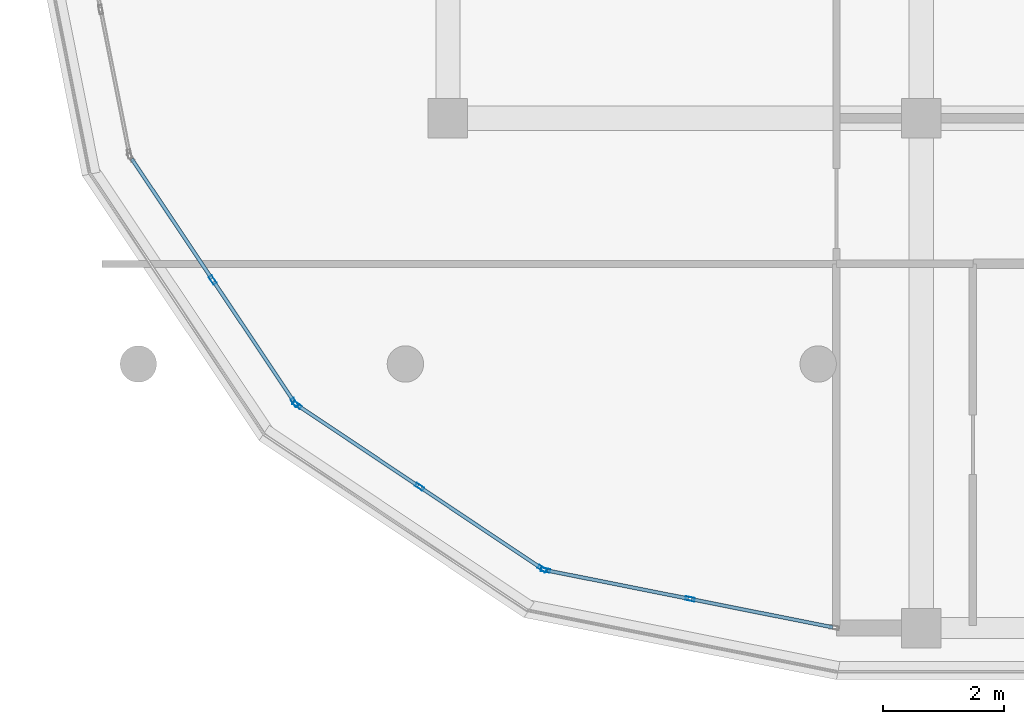
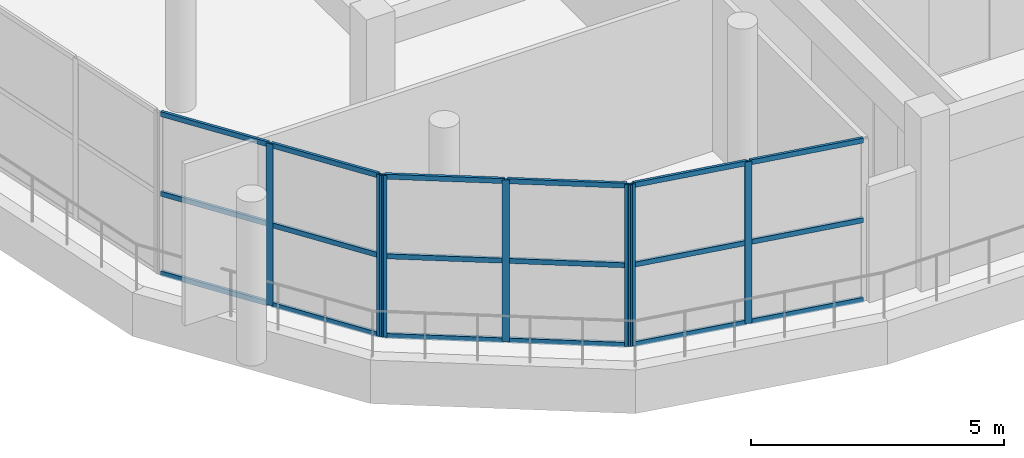
# One storey, part 2 of 57: 25 members, 3 elements without a shape of their own.
"""IFC4 building model written with IfcOpenShell, lengths in metres."""

from ifc_helpers import new_model, si_unit, direction, frame, origin, origin_2d, place, context, subcontext, project, spatial, hollow_rectangle, extrude, material, layer, layer_set, material_profile, profile_set, type_object, element, aggregate, save


model = new_model("IFC4")

# Units and contexts
model_context = context("Model", 3, precision=1e-05, world=origin(), true_north=direction((0.0, 1.0)))
body_context = subcontext(model_context, "Body", "Model", "MODEL_VIEW")
ifc_project = project(units=[si_unit("LENGTHUNIT", "METRE"), si_unit("AREAUNIT", "SQUARE_METRE"), si_unit("VOLUMEUNIT", "CUBIC_METRE"), si_unit("PLANEANGLEUNIT", "RADIAN"), si_unit("MASSUNIT", "GRAM", prefix="KILO")], contexts=[model_context])

# Site, building, storey
site_placement = place(None, origin())
site = spatial("IfcSite", under=ifc_project, at=site_placement, CompositionType="ELEMENT")
building_placement = place(site_placement, origin())
building = spatial("IfcBuilding", under=site, at=building_placement, Name="Zizhar Promenade General Hospital", CompositionType="ELEMENT")
storey_placement = place(building_placement, frame((0.0, 0.0, 22.199951171875)))
storey = spatial("IfcBuildingStorey", under=building, at=storey_placement, Name="L05", CompositionType="ELEMENT", Elevation=22.199951171875)

# Curtain wall, members
ifc_material_1 = material(Name="Anodised aluminium 6063-T6 and low-E glass", Category="aluminium")
ifc_layer = layer(ifc_material_1, 0.159912109375)
ifc_layer_set = layer_set([ifc_layer], Name="Anodised aluminium 6063-T6 and low-E glass")
curtain_wall_type = type_object("IfcCurtainWallType", Name="CW-WARD-ARC", PredefinedType="NOTDEFINED", material=ifc_layer_set)
curtain_wall_1_placement = place(storey_placement, origin())
curtain_wall_1 = element("IfcCurtainWall", 1, at=curtain_wall_1_placement, inside=storey, type_object=curtain_wall_type, Name="Ward Semicircular End Glazing L05-15", PredefinedType="NOTDEFINED")
ifc_material_2 = material(Name="Anodised aluminium 6063-T6", Category="aluminium")
ifc_material_profile_1 = material_profile(ifc_material_2, hollow_rectangle(XDim=0.06005859375, YDim=0.14990234375, WallThickness=0.00390625, at=origin_2d()))
ifc_profile_set_1 = profile_set([ifc_material_profile_1], Name="Anodised aluminium 6063-T6")
member_type_1 = type_object("IfcMemberType", Name="CWM-ALU-150x60", PredefinedType="MULLION", material=ifc_profile_set_1)
member_1_placement = place(storey_placement, frame((20.873779296875, 3.71533203125, 0.0), z_axis=(0.0, 0.0, 1.0), x_axis=(-0.831461514468, -0.555582352095, 0.0)))
member_1 = element("IfcMember", 2, at=member_1_placement, type_object=member_type_1, Name="CW-12 mullion 1", PredefinedType="MULLION", context=body_context, shape_type="SweptSolid", body=[
    extrude(hollow_rectangle(XDim=0.06005859375, YDim=0.14990234375, WallThickness=0.00390625, at=origin_2d()), origin(), (0.0, 0.0, 1.0), 3.900146484375),
])
member_2_placement = place(storey_placement, frame((19.52490234375, 5.734375, 0.0), z_axis=(0.0, 0.0, 1.0), x_axis=(-0.831461514468, -0.555582352095, 0.0)))
member_2 = element("IfcMember", 3, at=member_2_placement, type_object=member_type_1, Name="CW-12 mullion 2", PredefinedType="MULLION", context=body_context, shape_type="SweptSolid", body=[
    extrude(hollow_rectangle(XDim=0.06005859375, YDim=0.14990234375, WallThickness=0.00390625, at=origin_2d()), origin(), (0.0, 0.0, 1.0), 3.900146484375),
])

curtain_wall_2_placement = place(storey_placement, origin())
curtain_wall_2 = element("IfcCurtainWall", 4, at=curtain_wall_2_placement, inside=storey, type_object=curtain_wall_type, Name="Ward Semicircular End Glazing L05-16", PredefinedType="NOTDEFINED")
member_3_placement = place(storey_placement, frame((24.953369140625, 0.975830078125, 0.0), z_axis=(0.0, 0.0, 1.0), x_axis=(-0.555582352095, -0.831461514468, 0.0)))
member_3 = element("IfcMember", 5, at=member_3_placement, type_object=member_type_1, Name="CW-12 mullion 1", PredefinedType="MULLION", context=body_context, shape_type="SweptSolid", body=[
    extrude(hollow_rectangle(XDim=0.06005859375, YDim=0.14990234375, WallThickness=0.00390625, at=origin_2d()), origin(), (0.0, 0.0, 1.0), 3.900146484375),
])
member_4_placement = place(storey_placement, frame((22.934326171875, 2.32470703125, 0.0), z_axis=(0.0, 0.0, 1.0), x_axis=(-0.555582352095, -0.831461514468, 0.0)))
member_4 = element("IfcMember", 6, at=member_4_placement, type_object=member_type_1, Name="CW-12 mullion 2", PredefinedType="MULLION", context=body_context, shape_type="SweptSolid", body=[
    extrude(hollow_rectangle(XDim=0.06005859375, YDim=0.14990234375, WallThickness=0.00390625, at=origin_2d()), origin(), (0.0, 0.0, 1.0), 3.900146484375),
])
member_5_placement = place(storey_placement, frame((20.91552734375, 3.673828125, 0.0), z_axis=(0.0, 0.0, 1.0), x_axis=(-0.555582352095, -0.831461514468, 0.0)))
member_5 = element("IfcMember", 7, at=member_5_placement, type_object=member_type_1, Name="CW-12 mullion 3", PredefinedType="MULLION", context=body_context, shape_type="SweptSolid", body=[
    extrude(hollow_rectangle(XDim=0.06005859375, YDim=0.14990234375, WallThickness=0.00390625, at=origin_2d()), origin(), (0.0, 0.0, 1.0), 3.900146484375),
])

curtain_wall_3_placement = place(storey_placement, origin())
curtain_wall_3 = element("IfcCurtainWall", 8, at=curtain_wall_3_placement, inside=storey, type_object=curtain_wall_type, Name="Ward Semicircular End Glazing L05-17", PredefinedType="NOTDEFINED")
member_6_placement = place(storey_placement, frame((27.38916015625, 0.4794921875, 0.0), z_axis=(0.0, 0.0, 1.0), x_axis=(-0.195087259275, -0.980785889615, 0.0)))
member_6 = element("IfcMember", 9, at=member_6_placement, type_object=member_type_1, Name="CW-12 mullion 2", PredefinedType="MULLION", context=body_context, shape_type="SweptSolid", body=[
    extrude(hollow_rectangle(XDim=0.06005859375, YDim=0.14990234375, WallThickness=0.00390625, at=origin_2d()), origin(), (0.0, 0.0, 1.0), 3.900146484375),
])
member_7_placement = place(storey_placement, frame((25.007568359375, 0.953369140625, 0.0), z_axis=(0.0, 0.0, 1.0), x_axis=(-0.195087259275, -0.980785889615, 0.0)))
member_7 = element("IfcMember", 10, at=member_7_placement, type_object=member_type_1, Name="CW-12 mullion 3", PredefinedType="MULLION", context=body_context, shape_type="SweptSolid", body=[
    extrude(hollow_rectangle(XDim=0.06005859375, YDim=0.14990234375, WallThickness=0.00390625, at=origin_2d()), origin(), (0.0, 0.0, 1.0), 3.900146484375),
])

# Member
ifc_material_3 = material(Name="Anodised aluminium 6063-T6", Category="aluminium")
ifc_material_profile_2 = material_profile(ifc_material_3, hollow_rectangle(XDim=0.06005859375, YDim=0.1201171875, WallThickness=0.00390625, at=origin_2d()))
ifc_profile_set_2 = profile_set([ifc_material_profile_2], Name="Anodised aluminium 6063-T6")
member_type_2 = type_object("IfcMemberType", Name="CWT-ALU-120x60", PredefinedType="USERDEFINED", material=ifc_profile_set_2)
member_8_placement = place(storey_placement, frame((20.857177734375, 3.740478515625, 0.030029296875), z_axis=(-0.555580160396, 0.831462978956, 0.0), x_axis=(-0.831462978956, -0.555580160396, 0.0)))
member_8 = element("IfcMember", 11, at=member_8_placement, type_object=member_type_2, Name="CW-12 transom 1.1", ObjectType="TRANSOM", PredefinedType="USERDEFINED", context=body_context, shape_type="SweptSolid", body=[
    extrude(hollow_rectangle(XDim=0.06005859375, YDim=0.1201171875, WallThickness=0.00390625, at=origin_2d()), origin(), (0.0, 0.0, 1.0), 2.3681640625),
])

member_9_placement = place(storey_placement, frame((20.857177734375, 3.740478515625, 1.949951171875), z_axis=(-0.555580160396, 0.831462978956, 0.0), x_axis=(-0.831462978956, -0.555580160396, 0.0)))
member_9 = element("IfcMember", 12, at=member_9_placement, type_object=member_type_2, Name="CW-12 transom 1.2", ObjectType="TRANSOM", PredefinedType="USERDEFINED", context=body_context, shape_type="SweptSolid", body=[
    extrude(hollow_rectangle(XDim=0.06005859375, YDim=0.1201171875, WallThickness=0.00390625, at=origin_2d()), origin(), (0.0, 0.0, 1.0), 2.3681640625),
])

member_10_placement = place(storey_placement, frame((20.857177734375, 3.740478515625, 3.8701171875), z_axis=(-0.555580160396, 0.831462978956, 0.0), x_axis=(-0.831462978956, -0.555580160396, 0.0)))
member_10 = element("IfcMember", 13, at=member_10_placement, type_object=member_type_2, Name="CW-12 transom 1.3", ObjectType="TRANSOM", PredefinedType="USERDEFINED", context=body_context, shape_type="SweptSolid", body=[
    extrude(hollow_rectangle(XDim=0.06005859375, YDim=0.1201171875, WallThickness=0.00390625, at=origin_2d()), origin(), (0.0, 0.0, 1.0), 2.3681640625),
])

member_11_placement = place(storey_placement, frame((19.508056640625, 5.75927734375, 0.030029296875), z_axis=(-0.555580160396, 0.831462978956, 0.0), x_axis=(-0.831462978956, -0.555580160396, 0.0)))
member_11 = element("IfcMember", 14, at=member_11_placement, type_object=member_type_2, Name="CW-12 transom 2.1", ObjectType="TRANSOM", PredefinedType="USERDEFINED", context=body_context, shape_type="SweptSolid", body=[
    extrude(hollow_rectangle(XDim=0.06005859375, YDim=0.1201171875, WallThickness=0.00390625, at=origin_2d()), origin(), (0.0, 0.0, 1.0), 2.3681640625),
])

member_12_placement = place(storey_placement, frame((19.508056640625, 5.75927734375, 1.949951171875), z_axis=(-0.555580160396, 0.831462978956, 0.0), x_axis=(-0.831462978956, -0.555580160396, 0.0)))
member_12 = element("IfcMember", 15, at=member_12_placement, type_object=member_type_2, Name="CW-12 transom 2.2", ObjectType="TRANSOM", PredefinedType="USERDEFINED", context=body_context, shape_type="SweptSolid", body=[
    extrude(hollow_rectangle(XDim=0.06005859375, YDim=0.1201171875, WallThickness=0.00390625, at=origin_2d()), origin(), (0.0, 0.0, 1.0), 2.3681640625),
])

member_13_placement = place(storey_placement, frame((19.508056640625, 5.75927734375, 3.8701171875), z_axis=(-0.555580160396, 0.831462978956, 0.0), x_axis=(-0.831462978956, -0.555580160396, 0.0)))
member_13 = element("IfcMember", 16, at=member_13_placement, type_object=member_type_2, Name="CW-12 transom 2.3", ObjectType="TRANSOM", PredefinedType="USERDEFINED", context=body_context, shape_type="SweptSolid", body=[
    extrude(hollow_rectangle(XDim=0.06005859375, YDim=0.1201171875, WallThickness=0.00390625, at=origin_2d()), origin(), (0.0, 0.0, 1.0), 2.3681640625),
])

aggregate(curtain_wall_1, [member_1, member_2, member_8, member_9, member_10, member_11, member_12, member_13])

member_14_placement = place(storey_placement, frame((24.92822265625, 0.992431640625, 0.030029296875), z_axis=(-0.831462978956, 0.555580160396, 0.0), x_axis=(-0.555580160396, -0.831462978956, 0.0)))
member_14 = element("IfcMember", 17, at=member_14_placement, type_object=member_type_2, Name="CW-12 transom 1.1", ObjectType="TRANSOM", PredefinedType="USERDEFINED", context=body_context, shape_type="SweptSolid", body=[
    extrude(hollow_rectangle(XDim=0.06005859375, YDim=0.1201171875, WallThickness=0.00390625, at=origin_2d()), origin(), (0.0, 0.0, 1.0), 2.3681640625),
])

member_15_placement = place(storey_placement, frame((24.92822265625, 0.992431640625, 1.949951171875), z_axis=(-0.831462978956, 0.555580160396, 0.0), x_axis=(-0.555580160396, -0.831462978956, 0.0)))
member_15 = element("IfcMember", 18, at=member_15_placement, type_object=member_type_2, Name="CW-12 transom 1.2", ObjectType="TRANSOM", PredefinedType="USERDEFINED", context=body_context, shape_type="SweptSolid", body=[
    extrude(hollow_rectangle(XDim=0.06005859375, YDim=0.1201171875, WallThickness=0.00390625, at=origin_2d()), origin(), (0.0, 0.0, 1.0), 2.3681640625),
])

member_16_placement = place(storey_placement, frame((24.92822265625, 0.992431640625, 3.8701171875), z_axis=(-0.831462978956, 0.555580160396, 0.0), x_axis=(-0.555580160396, -0.831462978956, 0.0)))
member_16 = element("IfcMember", 19, at=member_16_placement, type_object=member_type_2, Name="CW-12 transom 1.3", ObjectType="TRANSOM", PredefinedType="USERDEFINED", context=body_context, shape_type="SweptSolid", body=[
    extrude(hollow_rectangle(XDim=0.06005859375, YDim=0.1201171875, WallThickness=0.00390625, at=origin_2d()), origin(), (0.0, 0.0, 1.0), 2.3681640625),
])

member_17_placement = place(storey_placement, frame((22.909423828125, 2.341552734375, 0.030029296875), z_axis=(-0.831462978956, 0.555580160396, 0.0), x_axis=(-0.555580160396, -0.831462978956, 0.0)))
member_17 = element("IfcMember", 20, at=member_17_placement, type_object=member_type_2, Name="CW-12 transom 2.1", ObjectType="TRANSOM", PredefinedType="USERDEFINED", context=body_context, shape_type="SweptSolid", body=[
    extrude(hollow_rectangle(XDim=0.06005859375, YDim=0.1201171875, WallThickness=0.00390625, at=origin_2d()), origin(), (0.0, 0.0, 1.0), 2.3681640625),
])

member_18_placement = place(storey_placement, frame((22.909423828125, 2.341552734375, 1.949951171875), z_axis=(-0.831462978956, 0.555580160396, 0.0), x_axis=(-0.555580160396, -0.831462978956, 0.0)))
member_18 = element("IfcMember", 21, at=member_18_placement, type_object=member_type_2, Name="CW-12 transom 2.2", ObjectType="TRANSOM", PredefinedType="USERDEFINED", context=body_context, shape_type="SweptSolid", body=[
    extrude(hollow_rectangle(XDim=0.06005859375, YDim=0.1201171875, WallThickness=0.00390625, at=origin_2d()), origin(), (0.0, 0.0, 1.0), 2.3681640625),
])

member_19_placement = place(storey_placement, frame((22.909423828125, 2.341552734375, 3.8701171875), z_axis=(-0.831462978956, 0.555580160396, 0.0), x_axis=(-0.555580160396, -0.831462978956, 0.0)))
member_19 = element("IfcMember", 22, at=member_19_placement, type_object=member_type_2, Name="CW-12 transom 2.3", ObjectType="TRANSOM", PredefinedType="USERDEFINED", context=body_context, shape_type="SweptSolid", body=[
    extrude(hollow_rectangle(XDim=0.06005859375, YDim=0.1201171875, WallThickness=0.00390625, at=origin_2d()), origin(), (0.0, 0.0, 1.0), 2.3681640625),
])

aggregate(curtain_wall_2, [member_3, member_4, member_5, member_14, member_15, member_16, member_17, member_18, member_19])

member_20_placement = place(storey_placement, frame((29.7412109375, 0.01171875, 0.030029296875), z_axis=(-0.980794200422, 0.195045472693, 0.0), x_axis=(-0.195045472693, -0.980794200422, 0.0)))
member_20 = element("IfcMember", 23, at=member_20_placement, type_object=member_type_2, Name="CW-12 transom 1.1", ObjectType="TRANSOM", PredefinedType="USERDEFINED", context=body_context, shape_type="SweptSolid", body=[
    extrude(hollow_rectangle(XDim=0.06005859375, YDim=0.1201171875, WallThickness=0.00390625, at=origin_2d()), origin(), (0.0, 0.0, 1.0), 2.3681640625),
])

member_21_placement = place(storey_placement, frame((29.7412109375, 0.01171875, 1.949951171875), z_axis=(-0.980794200422, 0.195045472693, 0.0), x_axis=(-0.195045472693, -0.980794200422, 0.0)))
member_21 = element("IfcMember", 24, at=member_21_placement, type_object=member_type_2, Name="CW-12 transom 1.2", ObjectType="TRANSOM", PredefinedType="USERDEFINED", context=body_context, shape_type="SweptSolid", body=[
    extrude(hollow_rectangle(XDim=0.06005859375, YDim=0.1201171875, WallThickness=0.00390625, at=origin_2d()), origin(), (0.0, 0.0, 1.0), 2.3681640625),
])

member_22_placement = place(storey_placement, frame((29.7412109375, 0.01171875, 3.8701171875), z_axis=(-0.980794200422, 0.195045472693, 0.0), x_axis=(-0.195045472693, -0.980794200422, 0.0)))
member_22 = element("IfcMember", 25, at=member_22_placement, type_object=member_type_2, Name="CW-12 transom 1.3", ObjectType="TRANSOM", PredefinedType="USERDEFINED", context=body_context, shape_type="SweptSolid", body=[
    extrude(hollow_rectangle(XDim=0.06005859375, YDim=0.1201171875, WallThickness=0.00390625, at=origin_2d()), origin(), (0.0, 0.0, 1.0), 2.3681640625),
])

member_23_placement = place(storey_placement, frame((27.359619140625, 0.4853515625, 0.030029296875), z_axis=(-0.98077054851, 0.195164369634, 0.0), x_axis=(-0.195164369634, -0.98077054851, 0.0)))
member_23 = element("IfcMember", 26, at=member_23_placement, type_object=member_type_2, Name="CW-12 transom 2.1", ObjectType="TRANSOM", PredefinedType="USERDEFINED", context=body_context, shape_type="SweptSolid", body=[
    extrude(hollow_rectangle(XDim=0.06005859375, YDim=0.1201171875, WallThickness=0.00390625, at=origin_2d()), origin(), (0.0, 0.0, 1.0), 2.3681640625),
])

member_24_placement = place(storey_placement, frame((27.359619140625, 0.4853515625, 1.949951171875), z_axis=(-0.98077054851, 0.195164369634, 0.0), x_axis=(-0.195164369634, -0.98077054851, 0.0)))
member_24 = element("IfcMember", 27, at=member_24_placement, type_object=member_type_2, Name="CW-12 transom 2.2", ObjectType="TRANSOM", PredefinedType="USERDEFINED", context=body_context, shape_type="SweptSolid", body=[
    extrude(hollow_rectangle(XDim=0.06005859375, YDim=0.1201171875, WallThickness=0.00390625, at=origin_2d()), origin(), (0.0, 0.0, 1.0), 2.3681640625),
])

member_25_placement = place(storey_placement, frame((27.359619140625, 0.4853515625, 3.8701171875), z_axis=(-0.98077054851, 0.195164369634, 0.0), x_axis=(-0.195164369634, -0.98077054851, 0.0)))
member_25 = element("IfcMember", 28, at=member_25_placement, type_object=member_type_2, Name="CW-12 transom 2.3", ObjectType="TRANSOM", PredefinedType="USERDEFINED", context=body_context, shape_type="SweptSolid", body=[
    extrude(hollow_rectangle(XDim=0.06005859375, YDim=0.1201171875, WallThickness=0.00390625, at=origin_2d()), origin(), (0.0, 0.0, 1.0), 2.3681640625),
])

aggregate(curtain_wall_3, [member_6, member_7, member_20, member_21, member_22, member_23, member_24, member_25])

save(model, "model.ifc")
